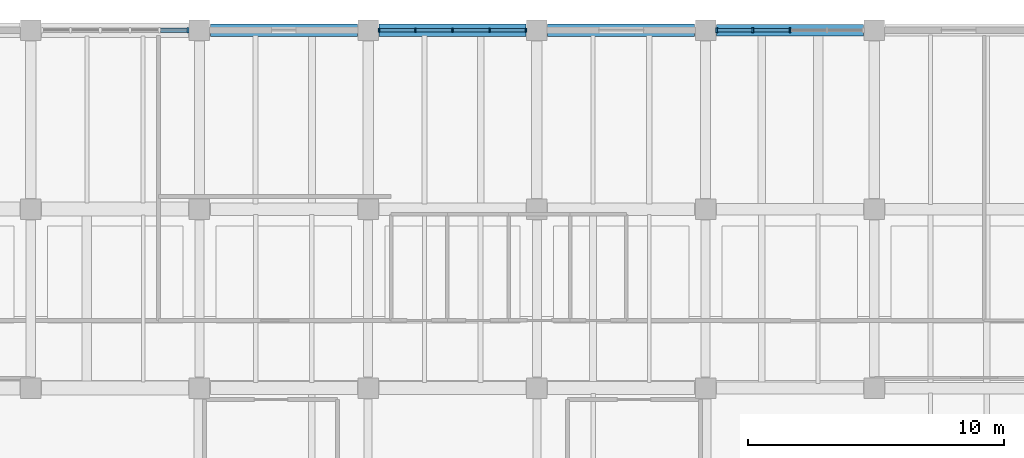
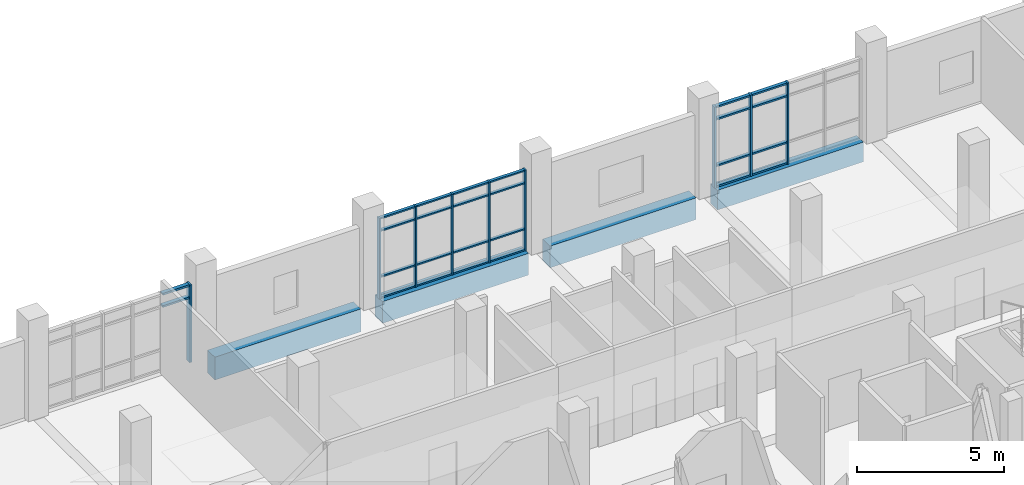
# One storey, part 33 of 67: 35 members, 4 beams, 3 elements without a shape of their own.
"""IFC4 building model written with IfcOpenShell, lengths in metres."""

from ifc_helpers import new_model, si_unit, direction, frame, origin, origin_2d, place, context, subcontext, project, spatial, rectangle, extrude, material, material_profile, profile_set, type_object, element, aggregate, save


model = new_model("IFC4")

# Units and contexts
model_context = context("Model", 3, precision=1e-05, world=origin(), true_north=direction((0.0, 1.0)))
body_context = subcontext(model_context, "Body", "Model", "MODEL_VIEW")
ifc_project = project(units=[si_unit("LENGTHUNIT", "METRE"), si_unit("AREAUNIT", "SQUARE_METRE"), si_unit("VOLUMEUNIT", "CUBIC_METRE"), si_unit("PLANEANGLEUNIT", "RADIAN"), si_unit("MASSUNIT", "GRAM", prefix="KILO")], contexts=[model_context])

# Site, building, storey
site_placement = place(None, origin())
site = spatial("IfcSite", under=ifc_project, at=site_placement, CompositionType="ELEMENT")
building_placement = place(site_placement, origin())
building = spatial("IfcBuilding", under=site, at=building_placement, Name="Ciguamira Faculty of Natural Sciences", CompositionType="ELEMENT")
storey_placement = place(building_placement, frame((0.0, 0.0, 8.39990234375)))
storey = spatial("IfcBuildingStorey", under=building, at=storey_placement, Name="L02", CompositionType="ELEMENT", Elevation=8.39990234375)

# Curtain wall, members
ifc_material_1 = material(Name="Anodized aluminium curtain wall", Category="aluminium")
curtain_wall_type_1 = type_object("IfcCurtainWallType", Name="CurtainWall_CW-01", PredefinedType="USERDEFINED", material=ifc_material_1)
curtain_wall_1_placement = place(storey_placement, origin())
curtain_wall_1 = element("IfcCurtainWall", 1, at=curtain_wall_1_placement, inside=storey, type_object=curtain_wall_type_1, Name="L02 unitised curtain wall 0073", ObjectType="UNITISED CURTAIN WALL", PredefinedType="USERDEFINED")
ifc_material_2 = material(Name="Anodized aluminium mullion", Category="aluminium")
ifc_material_profile_1 = material_profile(ifc_material_2, rectangle(XDim=0.06005859375, YDim=0.159912109375, at=origin_2d()), Name="ALU-MUL-60X160")
ifc_profile_set_1 = profile_set([ifc_material_profile_1], Name="Anodized aluminium mullion")
member_type_1 = type_object("IfcMemberType", Name="CWMullion_CWM-01", PredefinedType="MULLION", material=ifc_profile_set_1)
member_1_placement = place(storey_placement, frame((84.1298828125, 115.0, 0.0), z_axis=(0.0, 0.0, 1.0), x_axis=(1.0, 0.0, 0.0)))
member_1 = element("IfcMember", 2, at=member_1_placement, type_object=member_type_1, Name="CW-01 mullion 1", PredefinedType="MULLION", context=body_context, shape_type="SweptSolid", body=[
    extrude(rectangle(XDim=0.06005859375, YDim=0.159912109375, at=origin_2d()), origin(), (0.0, 0.0, 1.0), 3.364990234375),
])
member_2_placement = place(storey_placement, frame((85.550048828125, 115.0, 0.0), z_axis=(0.0, 0.0, 1.0), x_axis=(1.0, 0.0, 0.0)))
member_2 = element("IfcMember", 3, at=member_2_placement, type_object=member_type_1, Name="CW-01 mullion 2", PredefinedType="MULLION", context=body_context, shape_type="SweptSolid", body=[
    extrude(rectangle(XDim=0.06005859375, YDim=0.159912109375, at=origin_2d()), origin(), (0.0, 0.0, 1.0), 3.364990234375),
])
member_3_placement = place(storey_placement, frame((87.0, 115.0, 0.0), z_axis=(0.0, 0.0, 1.0), x_axis=(1.0, 0.0, 0.0)))
member_3 = element("IfcMember", 4, at=member_3_placement, type_object=member_type_1, Name="CW-01 mullion 3", PredefinedType="MULLION", context=body_context, shape_type="SweptSolid", body=[
    extrude(rectangle(XDim=0.06005859375, YDim=0.159912109375, at=origin_2d()), origin(), (0.0, 0.0, 1.0), 3.364990234375),
])
member_4_placement = place(storey_placement, frame((88.449951171875, 115.0, 0.0), z_axis=(0.0, 0.0, 1.0), x_axis=(1.0, 0.0, 0.0)))
member_4 = element("IfcMember", 5, at=member_4_placement, type_object=member_type_1, Name="CW-01 mullion 4", PredefinedType="MULLION", context=body_context, shape_type="SweptSolid", body=[
    extrude(rectangle(XDim=0.06005859375, YDim=0.159912109375, at=origin_2d()), origin(), (0.0, 0.0, 1.0), 3.364990234375),
])
member_5_placement = place(storey_placement, frame((89.8701171875, 115.0, 0.0), z_axis=(0.0, 0.0, 1.0), x_axis=(1.0, 0.0, 0.0)))
member_5 = element("IfcMember", 6, at=member_5_placement, type_object=member_type_1, Name="CW-01 mullion 5", PredefinedType="MULLION", context=body_context, shape_type="SweptSolid", body=[
    extrude(rectangle(XDim=0.06005859375, YDim=0.159912109375, at=origin_2d()), origin(), (0.0, 0.0, 1.0), 3.364990234375),
])

curtain_wall_type_2 = type_object("IfcCurtainWallType", Name="CurtainWall_CW-02", PredefinedType="USERDEFINED", material=ifc_material_1)
curtain_wall_2_placement = place(storey_placement, origin())
curtain_wall_2 = element("IfcCurtainWall", 7, at=curtain_wall_2_placement, inside=storey, type_object=curtain_wall_type_2, Name="L02 unitised curtain wall 0074", ObjectType="UNITISED CURTAIN WALL", PredefinedType="USERDEFINED")
ifc_material_profile_2 = material_profile(ifc_material_2, rectangle(XDim=0.070068359375, YDim=0.179931640625, at=origin_2d()), Name="ALU-MUL-70X180")
ifc_profile_set_2 = profile_set([ifc_material_profile_2], Name="Anodized aluminium mullion")
member_type_2 = type_object("IfcMemberType", Name="CWMullion_CWM-02", PredefinedType="MULLION", material=ifc_profile_set_2)
member_6_placement = place(storey_placement, frame((97.3349609375, 115.0, 0.0), z_axis=(0.0, 0.0, 1.0), x_axis=(1.0, 0.0, 0.0)))
member_6 = element("IfcMember", 8, at=member_6_placement, type_object=member_type_2, Name="CW-02 mullion 1", PredefinedType="MULLION", context=body_context, shape_type="SweptSolid", body=[
    extrude(rectangle(XDim=0.070068359375, YDim=0.179931640625, at=origin_2d()), origin(), (0.0, 0.0, 1.0), 3.385009765625),
])
member_7_placement = place(storey_placement, frame((98.75, 115.0, 0.0), z_axis=(0.0, 0.0, 1.0), x_axis=(1.0, 0.0, 0.0)))
member_7 = element("IfcMember", 9, at=member_7_placement, type_object=member_type_2, Name="CW-02 mullion 2", PredefinedType="MULLION", context=body_context, shape_type="SweptSolid", body=[
    extrude(rectangle(XDim=0.070068359375, YDim=0.179931640625, at=origin_2d()), origin(), (0.0, 0.0, 1.0), 3.385009765625),
])
member_8_placement = place(storey_placement, frame((100.199951171875, 115.0, 0.0), z_axis=(0.0, 0.0, 1.0), x_axis=(1.0, 0.0, 0.0)))
member_8 = element("IfcMember", 10, at=member_8_placement, type_object=member_type_2, Name="CW-02 mullion 3", PredefinedType="MULLION", context=body_context, shape_type="SweptSolid", body=[
    extrude(rectangle(XDim=0.070068359375, YDim=0.179931640625, at=origin_2d()), origin(), (0.0, 0.0, 1.0), 3.385009765625),
])

# Curtain wall, member
curtain_wall_type_3 = type_object("IfcCurtainWallType", Name="CurtainWall_CW-12", PredefinedType="USERDEFINED", material=ifc_material_1)
curtain_wall_3_placement = place(storey_placement, origin())
curtain_wall_3 = element("IfcCurtainWall", 11, at=curtain_wall_3_placement, inside=storey, type_object=curtain_wall_type_3, Name="L02 unitised curtain wall 0072", ObjectType="UNITISED CURTAIN WALL", PredefinedType="USERDEFINED")
ifc_material_profile_3 = material_profile(ifc_material_2, rectangle(XDim=0.080078125, YDim=0.219970703125, at=origin_2d()), Name="ALU-MUL-80X220")
ifc_profile_set_3 = profile_set([ifc_material_profile_3], Name="Anodized aluminium mullion")
member_type_3 = type_object("IfcMemberType", Name="CWMullion_CWM-03", PredefinedType="MULLION", material=ifc_profile_set_3)
member_9_placement = place(storey_placement, frame((76.659912109375, 115.0, 0.0), z_axis=(0.0, 0.0, 1.0), x_axis=(1.0, 0.0, 0.0)))
member_9 = element("IfcMember", 12, at=member_9_placement, type_object=member_type_3, Name="CW-12 mullion 6", PredefinedType="MULLION", context=body_context, shape_type="SweptSolid", body=[
    extrude(rectangle(XDim=0.080078125, YDim=0.219970703125, at=origin_2d()), origin(), (0.0, 0.0, 1.0), 3.235107421875),
])

# Member
ifc_material_3 = material(Name="Anodized aluminium transom", Category="aluminium")
ifc_material_profile_4 = material_profile(ifc_material_3, rectangle(XDim=0.06005859375, YDim=0.1201171875, at=origin_2d()), Name="ALU-TRN-60X120")
ifc_profile_set_4 = profile_set([ifc_material_profile_4], Name="Anodized aluminium transom")
member_type_4 = type_object("IfcMemberType", Name="CWTransom_CWT-01", PredefinedType="USERDEFINED", material=ifc_profile_set_4)
member_10_placement = place(storey_placement, frame((84.159912109375, 115.0, 0.030029296875), z_axis=(1.0, 0.0, 0.0), x_axis=(0.0, 0.0, 1.0)))
member_10 = element("IfcMember", 13, at=member_10_placement, type_object=member_type_4, Name="CW-01 transom 1.1", ObjectType="TRANSOM", PredefinedType="USERDEFINED", context=body_context, shape_type="SweptSolid", body=[
    extrude(rectangle(XDim=0.06005859375, YDim=0.1201171875, at=origin_2d()), origin(), (0.0, 0.0, 1.0), 1.360107421875),
])

member_11_placement = place(storey_placement, frame((84.159912109375, 115.0, 0.900146484375), z_axis=(1.0, 0.0, 0.0), x_axis=(0.0, 0.0, 1.0)))
member_11 = element("IfcMember", 14, at=member_11_placement, type_object=member_type_4, Name="CW-01 transom 1.2", ObjectType="TRANSOM", PredefinedType="USERDEFINED", context=body_context, shape_type="SweptSolid", body=[
    extrude(rectangle(XDim=0.06005859375, YDim=0.1201171875, at=origin_2d()), origin(), (0.0, 0.0, 1.0), 1.360107421875),
])

member_12_placement = place(storey_placement, frame((84.159912109375, 115.0, 2.815185546875), z_axis=(1.0, 0.0, 0.0), x_axis=(0.0, 0.0, 1.0)))
member_12 = element("IfcMember", 15, at=member_12_placement, type_object=member_type_4, Name="CW-01 transom 1.3", ObjectType="TRANSOM", PredefinedType="USERDEFINED", context=body_context, shape_type="SweptSolid", body=[
    extrude(rectangle(XDim=0.06005859375, YDim=0.1201171875, at=origin_2d()), origin(), (0.0, 0.0, 1.0), 1.360107421875),
])

member_13_placement = place(storey_placement, frame((84.159912109375, 115.0, 3.335205078125), z_axis=(1.0, 0.0, 0.0), x_axis=(0.0, 0.0, 1.0)))
member_13 = element("IfcMember", 16, at=member_13_placement, type_object=member_type_4, Name="CW-01 transom 1.4", ObjectType="TRANSOM", PredefinedType="USERDEFINED", context=body_context, shape_type="SweptSolid", body=[
    extrude(rectangle(XDim=0.06005859375, YDim=0.1201171875, at=origin_2d()), origin(), (0.0, 0.0, 1.0), 1.360107421875),
])

member_14_placement = place(storey_placement, frame((85.580078125, 115.0, 0.030029296875), z_axis=(1.0, 0.0, 0.0), x_axis=(0.0, 0.0, 1.0)))
member_14 = element("IfcMember", 17, at=member_14_placement, type_object=member_type_4, Name="CW-01 transom 2.1", ObjectType="TRANSOM", PredefinedType="USERDEFINED", context=body_context, shape_type="SweptSolid", body=[
    extrude(rectangle(XDim=0.06005859375, YDim=0.1201171875, at=origin_2d()), origin(), (0.0, 0.0, 1.0), 1.389892578125),
])

member_15_placement = place(storey_placement, frame((85.580078125, 115.0, 0.900146484375), z_axis=(1.0, 0.0, 0.0), x_axis=(0.0, 0.0, 1.0)))
member_15 = element("IfcMember", 18, at=member_15_placement, type_object=member_type_4, Name="CW-01 transom 2.2", ObjectType="TRANSOM", PredefinedType="USERDEFINED", context=body_context, shape_type="SweptSolid", body=[
    extrude(rectangle(XDim=0.06005859375, YDim=0.1201171875, at=origin_2d()), origin(), (0.0, 0.0, 1.0), 1.389892578125),
])

member_16_placement = place(storey_placement, frame((85.580078125, 115.0, 2.815185546875), z_axis=(1.0, 0.0, 0.0), x_axis=(0.0, 0.0, 1.0)))
member_16 = element("IfcMember", 19, at=member_16_placement, type_object=member_type_4, Name="CW-01 transom 2.3", ObjectType="TRANSOM", PredefinedType="USERDEFINED", context=body_context, shape_type="SweptSolid", body=[
    extrude(rectangle(XDim=0.06005859375, YDim=0.1201171875, at=origin_2d()), origin(), (0.0, 0.0, 1.0), 1.389892578125),
])

member_17_placement = place(storey_placement, frame((85.580078125, 115.0, 3.335205078125), z_axis=(1.0, 0.0, 0.0), x_axis=(0.0, 0.0, 1.0)))
member_17 = element("IfcMember", 20, at=member_17_placement, type_object=member_type_4, Name="CW-01 transom 2.4", ObjectType="TRANSOM", PredefinedType="USERDEFINED", context=body_context, shape_type="SweptSolid", body=[
    extrude(rectangle(XDim=0.06005859375, YDim=0.1201171875, at=origin_2d()), origin(), (0.0, 0.0, 1.0), 1.389892578125),
])

member_18_placement = place(storey_placement, frame((87.030029296875, 115.0, 0.030029296875), z_axis=(1.0, 0.0, 0.0), x_axis=(0.0, 0.0, 1.0)))
member_18 = element("IfcMember", 21, at=member_18_placement, type_object=member_type_4, Name="CW-01 transom 3.1", ObjectType="TRANSOM", PredefinedType="USERDEFINED", context=body_context, shape_type="SweptSolid", body=[
    extrude(rectangle(XDim=0.06005859375, YDim=0.1201171875, at=origin_2d()), origin(), (0.0, 0.0, 1.0), 1.389892578125),
])

member_19_placement = place(storey_placement, frame((87.030029296875, 115.0, 0.900146484375), z_axis=(1.0, 0.0, 0.0), x_axis=(0.0, 0.0, 1.0)))
member_19 = element("IfcMember", 22, at=member_19_placement, type_object=member_type_4, Name="CW-01 transom 3.2", ObjectType="TRANSOM", PredefinedType="USERDEFINED", context=body_context, shape_type="SweptSolid", body=[
    extrude(rectangle(XDim=0.06005859375, YDim=0.1201171875, at=origin_2d()), origin(), (0.0, 0.0, 1.0), 1.389892578125),
])

member_20_placement = place(storey_placement, frame((87.030029296875, 115.0, 2.815185546875), z_axis=(1.0, 0.0, 0.0), x_axis=(0.0, 0.0, 1.0)))
member_20 = element("IfcMember", 23, at=member_20_placement, type_object=member_type_4, Name="CW-01 transom 3.3", ObjectType="TRANSOM", PredefinedType="USERDEFINED", context=body_context, shape_type="SweptSolid", body=[
    extrude(rectangle(XDim=0.06005859375, YDim=0.1201171875, at=origin_2d()), origin(), (0.0, 0.0, 1.0), 1.389892578125),
])

member_21_placement = place(storey_placement, frame((87.030029296875, 115.0, 3.335205078125), z_axis=(1.0, 0.0, 0.0), x_axis=(0.0, 0.0, 1.0)))
member_21 = element("IfcMember", 24, at=member_21_placement, type_object=member_type_4, Name="CW-01 transom 3.4", ObjectType="TRANSOM", PredefinedType="USERDEFINED", context=body_context, shape_type="SweptSolid", body=[
    extrude(rectangle(XDim=0.06005859375, YDim=0.1201171875, at=origin_2d()), origin(), (0.0, 0.0, 1.0), 1.389892578125),
])

member_22_placement = place(storey_placement, frame((88.47998046875, 115.0, 0.030029296875), z_axis=(1.0, 0.0, 0.0), x_axis=(0.0, 0.0, 1.0)))
member_22 = element("IfcMember", 25, at=member_22_placement, type_object=member_type_4, Name="CW-01 transom 4.1", ObjectType="TRANSOM", PredefinedType="USERDEFINED", context=body_context, shape_type="SweptSolid", body=[
    extrude(rectangle(XDim=0.06005859375, YDim=0.1201171875, at=origin_2d()), origin(), (0.0, 0.0, 1.0), 1.360107421875),
])

member_23_placement = place(storey_placement, frame((88.47998046875, 115.0, 0.900146484375), z_axis=(1.0, 0.0, 0.0), x_axis=(0.0, 0.0, 1.0)))
member_23 = element("IfcMember", 26, at=member_23_placement, type_object=member_type_4, Name="CW-01 transom 4.2", ObjectType="TRANSOM", PredefinedType="USERDEFINED", context=body_context, shape_type="SweptSolid", body=[
    extrude(rectangle(XDim=0.06005859375, YDim=0.1201171875, at=origin_2d()), origin(), (0.0, 0.0, 1.0), 1.360107421875),
])

member_24_placement = place(storey_placement, frame((88.47998046875, 115.0, 2.815185546875), z_axis=(1.0, 0.0, 0.0), x_axis=(0.0, 0.0, 1.0)))
member_24 = element("IfcMember", 27, at=member_24_placement, type_object=member_type_4, Name="CW-01 transom 4.3", ObjectType="TRANSOM", PredefinedType="USERDEFINED", context=body_context, shape_type="SweptSolid", body=[
    extrude(rectangle(XDim=0.06005859375, YDim=0.1201171875, at=origin_2d()), origin(), (0.0, 0.0, 1.0), 1.360107421875),
])

member_25_placement = place(storey_placement, frame((88.47998046875, 115.0, 3.335205078125), z_axis=(1.0, 0.0, 0.0), x_axis=(0.0, 0.0, 1.0)))
member_25 = element("IfcMember", 28, at=member_25_placement, type_object=member_type_4, Name="CW-01 transom 4.4", ObjectType="TRANSOM", PredefinedType="USERDEFINED", context=body_context, shape_type="SweptSolid", body=[
    extrude(rectangle(XDim=0.06005859375, YDim=0.1201171875, at=origin_2d()), origin(), (0.0, 0.0, 1.0), 1.360107421875),
])

aggregate(curtain_wall_1, [member_1, member_2, member_3, member_4, member_5, member_10, member_11, member_12, member_13, member_14, member_15, member_16, member_17, member_18, member_19, member_20, member_21, member_22, member_23, member_24, member_25])

ifc_material_profile_5 = material_profile(ifc_material_3, rectangle(XDim=0.070068359375, YDim=0.139892578125, at=origin_2d()), Name="ALU-TRN-70X140")
ifc_profile_set_5 = profile_set([ifc_material_profile_5], Name="Anodized aluminium transom")
member_type_5 = type_object("IfcMemberType", Name="CWTransom_CWT-02", PredefinedType="USERDEFINED", material=ifc_profile_set_5)
member_26_placement = place(storey_placement, frame((97.3701171875, 115.0, 0.03515625), z_axis=(1.0, 0.0, 0.0), x_axis=(0.0, 0.0, 1.0)))
member_26 = element("IfcMember", 29, at=member_26_placement, type_object=member_type_5, Name="CW-02 transom 1.1", ObjectType="TRANSOM", PredefinedType="USERDEFINED", context=body_context, shape_type="SweptSolid", body=[
    extrude(rectangle(XDim=0.070068359375, YDim=0.139892578125, at=origin_2d()), origin(), (0.0, 0.0, 1.0), 1.344970703125),
])

member_27_placement = place(storey_placement, frame((97.3701171875, 115.0, 0.900146484375), z_axis=(1.0, 0.0, 0.0), x_axis=(0.0, 0.0, 1.0)))
member_27 = element("IfcMember", 30, at=member_27_placement, type_object=member_type_5, Name="CW-02 transom 1.2", ObjectType="TRANSOM", PredefinedType="USERDEFINED", context=body_context, shape_type="SweptSolid", body=[
    extrude(rectangle(XDim=0.070068359375, YDim=0.139892578125, at=origin_2d()), origin(), (0.0, 0.0, 1.0), 1.344970703125),
])

member_28_placement = place(storey_placement, frame((97.3701171875, 115.0, 2.835205078125), z_axis=(1.0, 0.0, 0.0), x_axis=(0.0, 0.0, 1.0)))
member_28 = element("IfcMember", 31, at=member_28_placement, type_object=member_type_5, Name="CW-02 transom 1.3", ObjectType="TRANSOM", PredefinedType="USERDEFINED", context=body_context, shape_type="SweptSolid", body=[
    extrude(rectangle(XDim=0.070068359375, YDim=0.139892578125, at=origin_2d()), origin(), (0.0, 0.0, 1.0), 1.344970703125),
])

member_29_placement = place(storey_placement, frame((97.3701171875, 115.0, 3.35009765625), z_axis=(1.0, 0.0, 0.0), x_axis=(0.0, 0.0, 1.0)))
member_29 = element("IfcMember", 32, at=member_29_placement, type_object=member_type_5, Name="CW-02 transom 1.4", ObjectType="TRANSOM", PredefinedType="USERDEFINED", context=body_context, shape_type="SweptSolid", body=[
    extrude(rectangle(XDim=0.070068359375, YDim=0.139892578125, at=origin_2d()), origin(), (0.0, 0.0, 1.0), 1.344970703125),
])

member_30_placement = place(storey_placement, frame((98.784912109375, 115.0, 0.03515625), z_axis=(1.0, 0.0, 0.0), x_axis=(0.0, 0.0, 1.0)))
member_30 = element("IfcMember", 33, at=member_30_placement, type_object=member_type_5, Name="CW-02 transom 2.1", ObjectType="TRANSOM", PredefinedType="USERDEFINED", context=body_context, shape_type="SweptSolid", body=[
    extrude(rectangle(XDim=0.070068359375, YDim=0.139892578125, at=origin_2d()), origin(), (0.0, 0.0, 1.0), 1.380126953125),
])

member_31_placement = place(storey_placement, frame((98.784912109375, 115.0, 0.900146484375), z_axis=(1.0, 0.0, 0.0), x_axis=(0.0, 0.0, 1.0)))
member_31 = element("IfcMember", 34, at=member_31_placement, type_object=member_type_5, Name="CW-02 transom 2.2", ObjectType="TRANSOM", PredefinedType="USERDEFINED", context=body_context, shape_type="SweptSolid", body=[
    extrude(rectangle(XDim=0.070068359375, YDim=0.139892578125, at=origin_2d()), origin(), (0.0, 0.0, 1.0), 1.380126953125),
])

member_32_placement = place(storey_placement, frame((98.784912109375, 115.0, 2.835205078125), z_axis=(1.0, 0.0, 0.0), x_axis=(0.0, 0.0, 1.0)))
member_32 = element("IfcMember", 35, at=member_32_placement, type_object=member_type_5, Name="CW-02 transom 2.3", ObjectType="TRANSOM", PredefinedType="USERDEFINED", context=body_context, shape_type="SweptSolid", body=[
    extrude(rectangle(XDim=0.070068359375, YDim=0.139892578125, at=origin_2d()), origin(), (0.0, 0.0, 1.0), 1.380126953125),
])

member_33_placement = place(storey_placement, frame((98.784912109375, 115.0, 3.35009765625), z_axis=(1.0, 0.0, 0.0), x_axis=(0.0, 0.0, 1.0)))
member_33 = element("IfcMember", 36, at=member_33_placement, type_object=member_type_5, Name="CW-02 transom 2.4", ObjectType="TRANSOM", PredefinedType="USERDEFINED", context=body_context, shape_type="SweptSolid", body=[
    extrude(rectangle(XDim=0.070068359375, YDim=0.139892578125, at=origin_2d()), origin(), (0.0, 0.0, 1.0), 1.380126953125),
])

aggregate(curtain_wall_2, [member_6, member_7, member_8, member_26, member_27, member_28, member_29, member_30, member_31, member_32, member_33])

ifc_material_profile_6 = material_profile(ifc_material_3, rectangle(XDim=0.080078125, YDim=0.159912109375, at=origin_2d()), Name="ALU-TRN-80X160")
ifc_profile_set_6 = profile_set([ifc_material_profile_6], Name="Anodized aluminium transom")
member_type_6 = type_object("IfcMemberType", Name="CWTransom_CWT-03", PredefinedType="USERDEFINED", material=ifc_profile_set_6)
member_34_placement = place(storey_placement, frame((75.580078125, 115.0, 2.68505859375), z_axis=(1.0, 0.0, 0.0), x_axis=(0.0, 0.0, 1.0)))
member_34 = element("IfcMember", 37, at=member_34_placement, type_object=member_type_6, Name="CW-12 transom 5.3", ObjectType="TRANSOM", PredefinedType="USERDEFINED", context=body_context, shape_type="SweptSolid", body=[
    extrude(rectangle(XDim=0.080078125, YDim=0.159912109375, at=origin_2d()), origin(), (0.0, 0.0, 1.0), 1.0400390625),
])

member_35_placement = place(storey_placement, frame((75.580078125, 115.0, 3.195068359375), z_axis=(1.0, 0.0, 0.0), x_axis=(0.0, 0.0, 1.0)))
member_35 = element("IfcMember", 38, at=member_35_placement, type_object=member_type_6, Name="CW-12 transom 5.4", ObjectType="TRANSOM", PredefinedType="USERDEFINED", context=body_context, shape_type="SweptSolid", body=[
    extrude(rectangle(XDim=0.080078125, YDim=0.159912109375, at=origin_2d()), origin(), (0.0, 0.0, 1.0), 1.0400390625),
])

aggregate(curtain_wall_3, [member_9, member_34, member_35])

# Beams
ifc_material_4 = material(Name="Concrete C40/50", Category="concrete")
ifc_material_profile_7 = material_profile(ifc_material_4, rectangle(XDim=0.5, YDim=0.949951171875, at=origin_2d()), Name="RC-BM-500X950")
ifc_profile_set_7 = profile_set([ifc_material_profile_7], Name="Concrete C40/50")
beam_type_1 = type_object("IfcBeamType", Name="RCBeam_BG-02_RC-BM-500X950", PredefinedType="BEAM", material=ifc_profile_set_7)
beam_1_placement = place(storey_placement, frame((77.52490234375, 115.0, -0.474853515625), z_axis=(1.0, 0.0, 0.0), x_axis=(0.0, 1.0, 0.0)))
element("IfcBeam", 39, at=beam_1_placement, inside=storey, type_object=beam_type_1, Name="L02 RC girder EW-0869", PredefinedType="BEAM", context=body_context, shape_type="SweptSolid", body=[
    extrude(rectangle(XDim=0.5, YDim=0.949951171875, at=origin_2d()), origin(), (0.0, 0.0, 1.0), 5.75),
])
ifc_material_profile_8 = material_profile(ifc_material_4, rectangle(XDim=0.5, YDim=0.89990234375, at=origin_2d()), Name="RC-BM-500X900")
ifc_profile_set_8 = profile_set([ifc_material_profile_8], Name="Concrete C40/50")
beam_type_2 = type_object("IfcBeamType", Name="RCBeam_BG-03_RC-BM-500X900", PredefinedType="BEAM", material=ifc_profile_set_8)
for number, where, z_axis, x_axis, name in (
    (40, (84.125, 115.0, -0.449951171875), (1.0, 0.0, 0.0), (0.0, 1.0, 0.0), "L02 RC girder EW-0870"),
    (41, (90.72509765625, 115.0, -0.449951171875), (1.0, 0.0, 0.0), (0.0, 1.0, 0.0), "L02 RC girder EW-0871"),
):
    element("IfcBeam", number, at=place(storey_placement, frame(where, z_axis=z_axis, x_axis=x_axis)), inside=storey, type_object=beam_type_2, Name=name, PredefinedType="BEAM", context=body_context, shape_type="SweptSolid", body=[
        extrude(rectangle(XDim=0.5, YDim=0.89990234375, at=origin_2d()), origin(), (0.0, 0.0, 1.0), 5.75),
    ])
ifc_material_profile_9 = material_profile(ifc_material_4, rectangle(XDim=0.4599609375, YDim=0.820068359375, at=origin_2d()), Name="RC-BM-460X820")
ifc_profile_set_9 = profile_set([ifc_material_profile_9], Name="Concrete C40/50")
beam_type_3 = type_object("IfcBeamType", Name="RCBeam_BG-04_RC-BM-460X820", PredefinedType="BEAM", material=ifc_profile_set_9)
beam_2_placement = place(storey_placement, frame((97.324951171875, 115.0, -0.409912109375), z_axis=(1.0, 0.0, 0.0), x_axis=(0.0, 1.0, 0.0)))
element("IfcBeam", 42, at=beam_2_placement, inside=storey, type_object=beam_type_3, Name="L02 RC girder EW-0872", PredefinedType="BEAM", context=body_context, shape_type="SweptSolid", body=[
    extrude(rectangle(XDim=0.4599609375, YDim=0.820068359375, at=origin_2d()), origin(), (0.0, 0.0, 1.0), 5.75),
])

save(model, "model.ifc")
